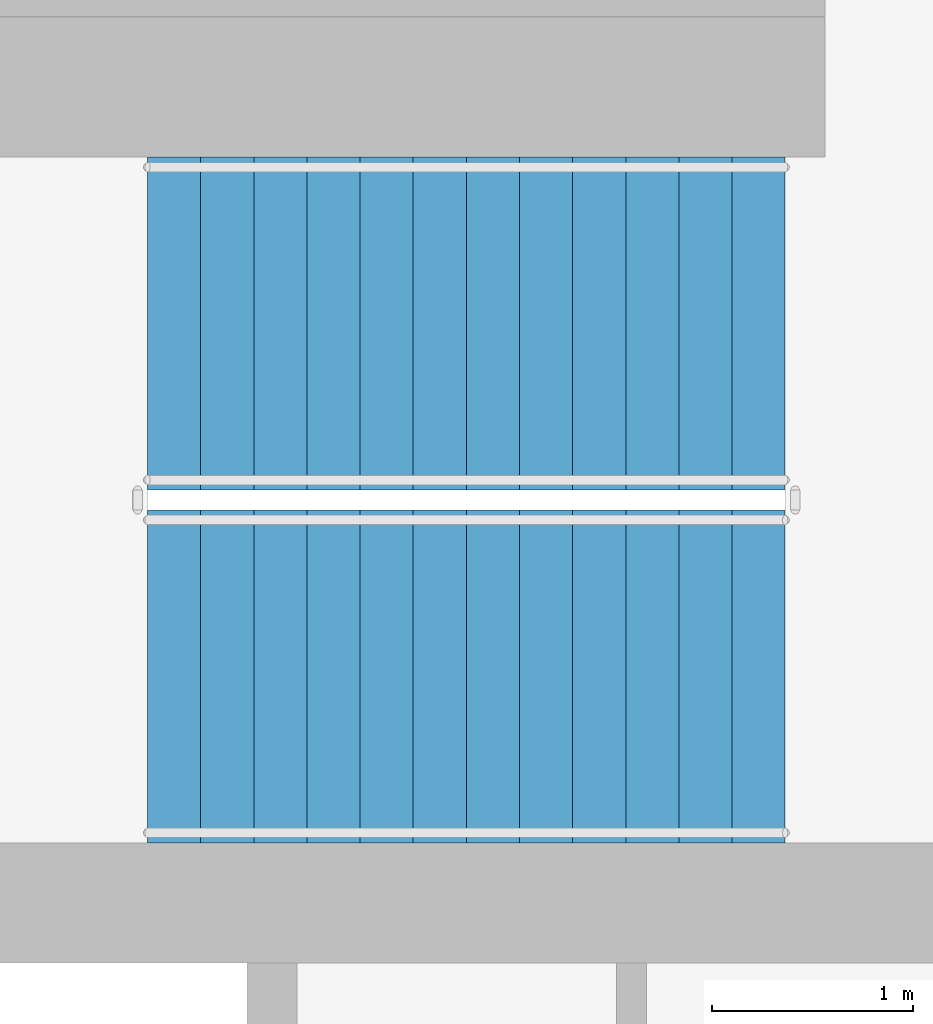
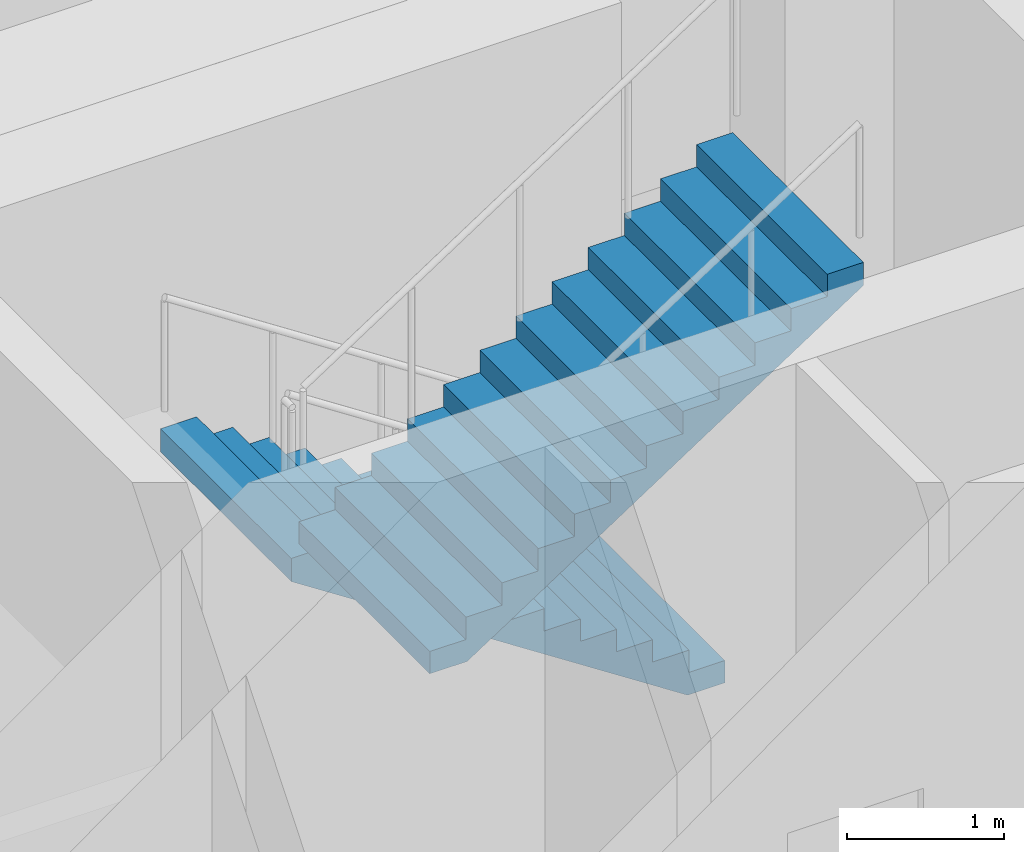
# One storey, part 22 of 23: 2 stair flights, 1 element without a shape of its own.
"""IFC4 building model written with IfcOpenShell, lengths in metres."""

from ifc_helpers import new_model, si_unit, direction, frame, origin, place, context, subcontext, project, spatial, polyline, outline, extrude, material, type_object, element, aggregate, save


model = new_model("IFC4")

# Units and contexts
model_context = context("Model", 3, precision=1e-05, world=origin(), true_north=direction((0.0, 1.0)))
body_context = subcontext(model_context, "Body", "Model", "MODEL_VIEW")
ifc_project = project(units=[si_unit("LENGTHUNIT", "METRE"), si_unit("AREAUNIT", "SQUARE_METRE"), si_unit("VOLUMEUNIT", "CUBIC_METRE"), si_unit("PLANEANGLEUNIT", "RADIAN"), si_unit("MASSUNIT", "GRAM", prefix="KILO")], contexts=[model_context])

# Site, building, storey
site_placement = place(None, origin())
site = spatial("IfcSite", under=ifc_project, at=site_placement, CompositionType="ELEMENT")
building_placement = place(site_placement, origin())
building = spatial("IfcBuilding", under=site, at=building_placement, Name="Vermilion Reach Broadcast Tower", CompositionType="ELEMENT")
storey_placement = place(building_placement, frame((0.0, 0.0, 31.5)))
storey = spatial("IfcBuildingStorey", under=building, at=storey_placement, Name="L04", CompositionType="ELEMENT", Elevation=31.5)

# Stair, stair flights
ifc_material_1 = material(Name="Concrete C40", Category="concrete")
stair_type = type_object("IfcStairType", Name="Exit stair RC 26 risers 173 mm", PredefinedType="HALF_TURN_STAIR", material=ifc_material_1)
stair_placement = place(storey_placement, origin())
stair = element("IfcStair", 1, at=stair_placement, inside=storey, type_object=stair_type, Name="L04 Exit stair ST2", PredefinedType="HALF_TURN_STAIR")
ifc_material_2 = material(Name="Concrete C40", Category="concrete")
stair_flight_type = type_object("IfcStairFlightType", Name="Exit stair flight RC 13 risers", PredefinedType="STRAIGHT", material=ifc_material_2)
stair_flight_1_placement = place(storey_placement, frame((-1.0, 6.469970703125, 0.0), z_axis=(0.0, 0.0, 1.0), x_axis=(-1.0, 0.0, 0.0)))
stair_flight_1 = element("IfcStairFlight", 2, at=stair_flight_1_placement, type_object=stair_flight_type, Name="ST2 flight 1", NumberOfRisers=13, NumberOfTreads=12, PredefinedType="STRAIGHT", RiserHeight=0.173076923, TreadLength=0.265, context=body_context, shape_type="SweptSolid", body=[
    extrude(outline(polyline([(0.0, 0.0), (0.0, 0.173095703125), (0.264892578125, 0.173095703125), (0.264892578125, 0.34619140625), (0.530029296875, 0.34619140625), (0.530029296875, 0.519287109375), (0.794921875, 0.519287109375), (0.794921875, 0.6923828125), (1.06005859375, 0.6923828125), (1.06005859375, 0.865478515625), (1.324951171875, 0.865478515625), (1.324951171875, 1.03857421875), (1.590087890625, 1.03857421875), (1.590087890625, 1.21142578125), (1.85498046875, 1.21142578125), (1.85498046875, 1.384521484375), (2.1201171875, 1.384521484375), (2.1201171875, 1.5576171875), (2.385009765625, 1.5576171875), (2.385009765625, 1.730712890625), (2.64990234375, 1.730712890625), (2.64990234375, 1.90380859375), (2.9150390625, 1.90380859375), (2.9150390625, 2.076904296875), (3.179931640625, 2.076904296875), (3.179931640625, 2.25), (3.179931640625, 1.89794921875), (0.274169921875, 0.0), (0.0, 0.0)])), frame((0.0, 0.830078125, 0.0), z_axis=(0.0, -1.0, 0.0), x_axis=(1.0, 0.0, 0.0)), (0.0, 0.0, 1.0), 1.659912109375),
])
stair_flight_2_placement = place(storey_placement, frame((-4.179931640625, 4.7099609375, 2.25), z_axis=(0.0, 0.0, 1.0), x_axis=(1.0, 0.0, 0.0)))
stair_flight_2 = element("IfcStairFlight", 3, at=stair_flight_2_placement, type_object=stair_flight_type, Name="ST2 flight 2", NumberOfRisers=13, NumberOfTreads=12, PredefinedType="STRAIGHT", RiserHeight=0.173076923, TreadLength=0.265, context=body_context, shape_type="SweptSolid", body=[
    extrude(outline(polyline([(0.0, 0.0), (0.0, 0.173095703125), (0.264892578125, 0.173095703125), (0.264892578125, 0.34619140625), (0.530029296875, 0.34619140625), (0.530029296875, 0.519287109375), (0.794921875, 0.519287109375), (0.794921875, 0.6923828125), (1.06005859375, 0.6923828125), (1.06005859375, 0.865478515625), (1.324951171875, 0.865478515625), (1.324951171875, 1.03857421875), (1.590087890625, 1.03857421875), (1.590087890625, 1.21142578125), (1.85498046875, 1.21142578125), (1.85498046875, 1.384521484375), (2.1201171875, 1.384521484375), (2.1201171875, 1.5576171875), (2.385009765625, 1.5576171875), (2.385009765625, 1.730712890625), (2.64990234375, 1.730712890625), (2.64990234375, 1.90380859375), (2.9150390625, 1.90380859375), (2.9150390625, 2.076904296875), (3.179931640625, 2.076904296875), (3.179931640625, 2.25), (3.179931640625, 1.89794921875), (0.274169921875, 0.0), (0.0, 0.0)])), frame((0.0, 0.830078125, 0.0), z_axis=(0.0, -1.0, 0.0), x_axis=(1.0, 0.0, 0.0)), (0.0, 0.0, 1.0), 1.659912109375),
])
aggregate(stair, [stair_flight_1, stair_flight_2])

save(model, "model.ifc")
